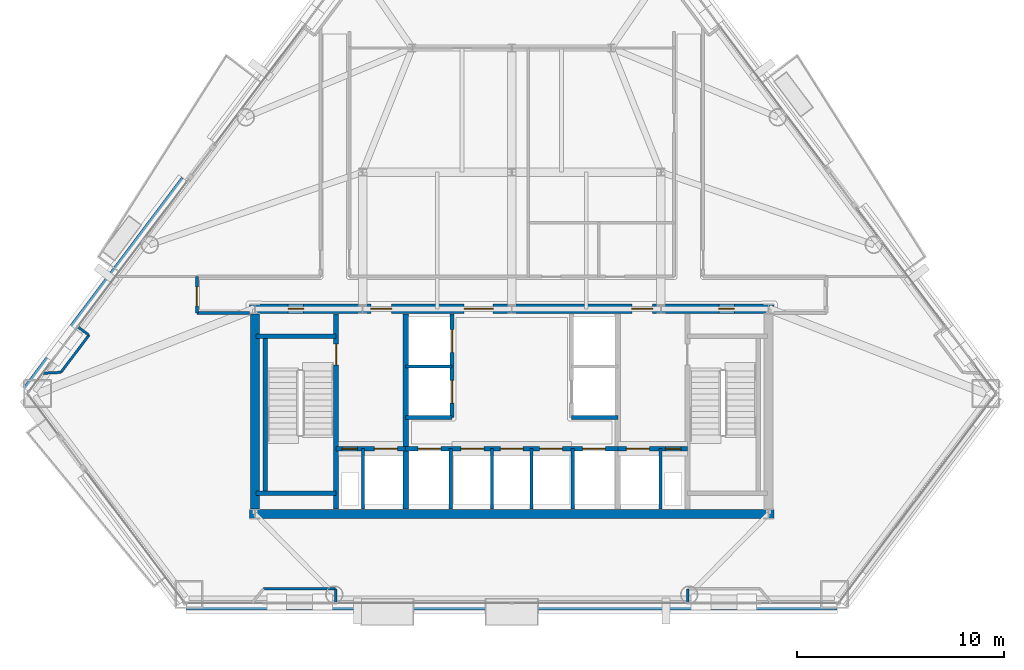
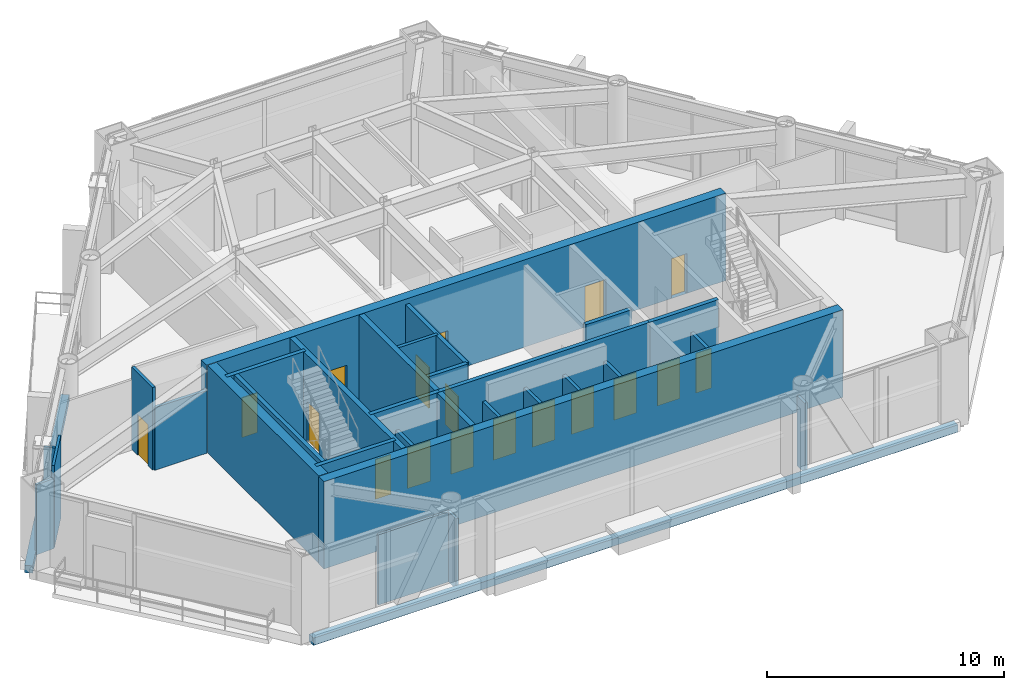
# One storey, part 6 of 10: 31 walls, 18 doors, 18 openings.
"""IFC4 building model written with IfcOpenShell, lengths in metres."""

from ifc_helpers import new_model, si_unit, direction, frame, frame_2d, origin, place, context, subcontext, project, spatial, rectangle, extrude, material, layer, layer_set, type_object, element, fill, save


model = new_model("IFC4")

# Units and contexts
model_context = context("Model", 3, precision=1e-05, world=origin(), true_north=direction((0.0, 1.0)))
body_context = subcontext(model_context, "Body", "Model", "MODEL_VIEW")
ifc_project = project(units=[si_unit("LENGTHUNIT", "METRE"), si_unit("AREAUNIT", "SQUARE_METRE"), si_unit("VOLUMEUNIT", "CUBIC_METRE"), si_unit("PLANEANGLEUNIT", "RADIAN"), si_unit("MASSUNIT", "GRAM", prefix="KILO")], contexts=[model_context])

# Site, building, storey
site_placement = place(None, origin())
site = spatial("IfcSite", under=ifc_project, at=site_placement, CompositionType="ELEMENT")
building_placement = place(site_placement, origin())
building = spatial("IfcBuilding", under=site, at=building_placement, Name="Talgorran Terracotta Tower", CompositionType="ELEMENT")
storey_placement = place(building_placement, frame((0.0, 0.0, 60.300048828125)))
storey = spatial("IfcBuildingStorey", under=building, at=storey_placement, Name="L15", CompositionType="ELEMENT", Elevation=60.300048828125)

# Walls
ifc_material_1 = material(Name="Concrete C50/60", Category="concrete")
ifc_layer_1 = layer(ifc_material_1, 0.199951171875, Name="WT_CORE_200")
ifc_layer_set_1 = layer_set([ifc_layer_1], Name="Concrete C50/60")
wall_type_1 = type_object("IfcWallType", Name="WT_CORE_200", PredefinedType="SOLIDWALL", material=ifc_layer_set_1)
for number, where, z_axis, x_axis, name in (
    (1, (-12.35009765625, -5.52001953125, 0.0), (0.0, 0.0, 1.0), (1.0, 0.0, 0.0), "WL-L15-CW-ST1-N"),
    (2, (-12.35009765625, -13.10009765625, 0.0), (0.0, 0.0, 1.0), (1.0, 0.0, 0.0), "WL-L15-CW-ST1-S"),
):
    element("IfcWall", number, at=place(storey_placement, frame(where, z_axis=z_axis, x_axis=x_axis)), inside=storey, type_object=wall_type_1, Name=name, PredefinedType="SOLIDWALL", context=body_context, shape_type="SweptSolid", body=[
        extrude(rectangle(XDim=3.8701171875, YDim=0.199951171875, at=frame_2d((1.93505859375, 0.0))), origin(), (0.0, 0.0, 1.0), 4.5),
    ])
wall_1_placement = place(storey_placement, frame((-11.89990234375, -13.10009765625, 0.0), z_axis=(0.0, 0.0, 1.0), x_axis=(0.0, 1.0, 0.0)))
element("IfcWall", 3, at=wall_1_placement, inside=storey, type_object=wall_type_1, Name="WL-L15-CW-ST1-W", PredefinedType="SOLIDWALL", context=body_context, shape_type="SweptSolid", body=[
    extrude(rectangle(XDim=7.580078125, YDim=0.199951171875, at=frame_2d((3.7900390625, 0.0))), origin(), (0.0, 0.0, 1.0), 4.5),
])

# Wall, openings, doors
wall_2_placement = place(storey_placement, frame((-8.47998046875, -10.949951171875, 0.0), z_axis=(0.0, 0.0, 1.0), x_axis=(1.0, 0.0, 0.0)))
wall_2 = element("IfcWall", 4, at=wall_2_placement, inside=storey, type_object=wall_type_1, Name="WL-L15-CW-H-SBW", PredefinedType="SOLIDWALL", context=body_context, shape_type="SweptSolid", body=[
    extrude(rectangle(XDim=3.35986328125, YDim=0.199951171875, at=frame_2d((1.679931640625, 0.0))), origin(), (0.0, 0.0, 1.0), 4.5),
])
opening_1_placement = place(wall_2_placement, frame((0.280029296875, 0.0, 0.0)))
opening_1 = element("IfcOpeningElement", 5, at=opening_1_placement, cuts=wall_2, Name="Opening DR-RSW", PredefinedType="OPENING", context=body_context, shape_type="SweptSolid", body=[
    extrude(rectangle(XDim=0.756, YDim=2.054048828125, at=frame_2d((0.375, 1.027099609375))), frame((0.0, 0.10986328125, 0.0), z_axis=(0.0, -1.0, 0.0), x_axis=(1.0, 0.0, 0.0)), (0.0, 0.0, 1.0), 0.219970703125),
])
opening_2_placement = place(wall_2_placement, frame((1.85009765625, 0.0, 0.0)))
opening_2 = element("IfcOpeningElement", 6, at=opening_2_placement, cuts=wall_2, Name="Opening LD-FFL1", PredefinedType="OPENING", context=body_context, shape_type="SweptSolid", body=[
    extrude(rectangle(XDim=1.10609765625, YDim=2.10409765625, at=frame_2d((0.550048828125, 1.052001953125))), frame((0.0, 0.10986328125, 0.0), z_axis=(0.0, -1.0, 0.0), x_axis=(1.0, 0.0, 0.0)), (0.0, 0.0, 1.0), 0.219970703125),
])
ifc_material_2 = material(Name="Brushed Stainless Steel Grade 304", Category="steel")
door_type_1 = type_object("IfcDoorType", Name="DT_LIFT_LD1100", OperationType="DOUBLE_DOOR_SLIDING", PredefinedType="DOOR", material=ifc_material_2)
door_1_placement = place(opening_2_placement, origin())
door_1 = element("IfcDoor", 7, at=door_1_placement, inside=storey, type_object=door_type_1, Name="L15 Lift Landing Door LD-FFL1", OperationType="DOUBLE_DOOR_SLIDING", OverallHeight=2.10009765625, OverallWidth=1.10009765625, PredefinedType="DOOR", context=body_context, shape_type="SweptSolid", body=[
    extrude(rectangle(XDim=1.10009765625, YDim=2.10009765625, at=frame_2d((0.550048828125, 1.050048828125))), frame((0.0, 0.02490234375, 0.0), z_axis=(0.0, -1.0, 0.0), x_axis=(1.0, 0.0, 0.0)), (0.0, 0.0, 1.0), 0.050048828125),
])
fill(opening_2, door_1)
ifc_material_3 = material(Name="Fire-Rated Pressed Steel", Category="steel")
door_type_2 = type_object("IfcDoorType", Name="DT_RISER_750", OperationType="NOTDEFINED", PredefinedType="DOOR", material=ifc_material_3)
door_2_placement = place(opening_1_placement, origin())
door_2 = element("IfcDoor", 8, at=door_2_placement, inside=storey, type_object=door_type_2, Name="DR-RSW", OperationType="SINGLE_SWING_LEFT", OverallHeight=2.050048828125, OverallWidth=0.75, PredefinedType="DOOR", context=body_context, shape_type="SweptSolid", body=[
    extrude(rectangle(XDim=0.75, YDim=2.050048828125, at=frame_2d((0.375, 1.02490234375))), frame((0.0, 0.02490234375, 0.0), z_axis=(0.0, -1.0, 0.0), x_axis=(1.0, 0.0, 0.0)), (0.0, 0.0, 1.0), 0.050048828125),
])
fill(opening_1, door_2)

wall_3_placement = place(storey_placement, frame((-5.1201171875, -10.949951171875, 0.0), z_axis=(0.0, 0.0, 1.0), x_axis=(1.0, 0.0, 0.0)))
wall_3 = element("IfcWall", 9, at=wall_3_placement, inside=storey, type_object=wall_type_1, Name="WL-L15-CW-H-SBC", PredefinedType="SOLIDWALL", context=body_context, shape_type="SweptSolid", body=[
    extrude(rectangle(XDim=10.240234375, YDim=0.199951171875, at=frame_2d((5.1201171875, 0.0))), origin(), (0.0, 0.0, 1.0), 4.5),
])
opening_3_placement = place(wall_3_placement, frame((0.60009765625, 0.0, 0.0)))
opening_3 = element("IfcOpeningElement", 10, at=opening_3_placement, cuts=wall_3, Name="Opening LD-OB1", PredefinedType="OPENING", context=body_context, shape_type="SweptSolid", body=[
    extrude(rectangle(XDim=1.10609765625, YDim=2.10409765625, at=frame_2d((0.550048828125, 1.052001953125))), frame((0.0, 0.10986328125, 0.0), z_axis=(0.0, -1.0, 0.0), x_axis=(1.0, 0.0, 0.0)), (0.0, 0.0, 1.0), 0.219970703125),
])
opening_4_placement = place(wall_3_placement, frame((2.669921875, 0.0, 0.0)))
opening_4 = element("IfcOpeningElement", 11, at=opening_4_placement, cuts=wall_3, Name="Opening LD-PLH1", PredefinedType="OPENING", context=body_context, shape_type="SweptSolid", body=[
    extrude(rectangle(XDim=1.10609765625, YDim=2.10409765625, at=frame_2d((0.550048828125, 1.052001953125))), frame((0.0, 0.10986328125, 0.0), z_axis=(0.0, -1.0, 0.0), x_axis=(1.0, 0.0, 0.0)), (0.0, 0.0, 1.0), 0.219970703125),
])
opening_5_placement = place(wall_3_placement, frame((4.570068359375, 0.0, 0.0)))
opening_5 = element("IfcOpeningElement", 12, at=opening_5_placement, cuts=wall_3, Name="Opening LD-PLH2", PredefinedType="OPENING", context=body_context, shape_type="SweptSolid", body=[
    extrude(rectangle(XDim=1.10609765625, YDim=2.10409765625, at=frame_2d((0.550048828125, 1.052001953125))), frame((0.0, 0.10986328125, 0.0), z_axis=(0.0, -1.0, 0.0), x_axis=(1.0, 0.0, 0.0)), (0.0, 0.0, 1.0), 0.219970703125),
])
opening_6_placement = place(wall_3_placement, frame((6.469970703125, 0.0, 0.0)))
opening_6 = element("IfcOpeningElement", 13, at=opening_6_placement, cuts=wall_3, Name="Opening LD-PLH3", PredefinedType="OPENING", context=body_context, shape_type="SweptSolid", body=[
    extrude(rectangle(XDim=1.10609765625, YDim=2.10409765625, at=frame_2d((0.550048828125, 1.052001953125))), frame((0.0, 0.10986328125, 0.0), z_axis=(0.0, -1.0, 0.0), x_axis=(1.0, 0.0, 0.0)), (0.0, 0.0, 1.0), 0.219970703125),
])
opening_7_placement = place(wall_3_placement, frame((8.5400390625, 0.0, 0.0)))
opening_7 = element("IfcOpeningElement", 14, at=opening_7_placement, cuts=wall_3, Name="Opening LD-SVL1", PredefinedType="OPENING", context=body_context, shape_type="SweptSolid", body=[
    extrude(rectangle(XDim=1.10609765625, YDim=2.10409765625, at=frame_2d((0.550048828125, 1.052001953125))), frame((0.0, 0.10986328125, 0.0), z_axis=(0.0, -1.0, 0.0), x_axis=(1.0, 0.0, 0.0)), (0.0, 0.0, 1.0), 0.219970703125),
])
door_3_placement = place(opening_3_placement, origin())
door_3 = element("IfcDoor", 15, at=door_3_placement, inside=storey, type_object=door_type_1, Name="L15 Lift Landing Door LD-OB1", OperationType="DOUBLE_DOOR_SLIDING", OverallHeight=2.10009765625, OverallWidth=1.10009765625, PredefinedType="DOOR", context=body_context, shape_type="SweptSolid", body=[
    extrude(rectangle(XDim=1.10009765625, YDim=2.10009765625, at=frame_2d((0.550048828125, 1.050048828125))), frame((0.0, 0.02490234375, 0.0), z_axis=(0.0, -1.0, 0.0), x_axis=(1.0, 0.0, 0.0)), (0.0, 0.0, 1.0), 0.050048828125),
])
fill(opening_3, door_3)
door_4_placement = place(opening_4_placement, origin())
door_4 = element("IfcDoor", 16, at=door_4_placement, inside=storey, type_object=door_type_1, Name="L15 Lift Landing Door LD-PLH1", OperationType="DOUBLE_DOOR_SLIDING", OverallHeight=2.10009765625, OverallWidth=1.10009765625, PredefinedType="DOOR", context=body_context, shape_type="SweptSolid", body=[
    extrude(rectangle(XDim=1.10009765625, YDim=2.10009765625, at=frame_2d((0.550048828125, 1.050048828125))), frame((0.0, 0.02490234375, 0.0), z_axis=(0.0, -1.0, 0.0), x_axis=(1.0, 0.0, 0.0)), (0.0, 0.0, 1.0), 0.050048828125),
])
fill(opening_4, door_4)
door_5_placement = place(opening_5_placement, origin())
door_5 = element("IfcDoor", 17, at=door_5_placement, inside=storey, type_object=door_type_1, Name="L15 Lift Landing Door LD-PLH2", OperationType="DOUBLE_DOOR_SLIDING", OverallHeight=2.10009765625, OverallWidth=1.10009765625, PredefinedType="DOOR", context=body_context, shape_type="SweptSolid", body=[
    extrude(rectangle(XDim=1.10009765625, YDim=2.10009765625, at=frame_2d((0.550048828125, 1.050048828125))), frame((0.0, 0.02490234375, 0.0), z_axis=(0.0, -1.0, 0.0), x_axis=(1.0, 0.0, 0.0)), (0.0, 0.0, 1.0), 0.050048828125),
])
fill(opening_5, door_5)
door_6_placement = place(opening_6_placement, origin())
door_6 = element("IfcDoor", 18, at=door_6_placement, inside=storey, type_object=door_type_1, Name="L15 Lift Landing Door LD-PLH3", OperationType="DOUBLE_DOOR_SLIDING", OverallHeight=2.10009765625, OverallWidth=1.10009765625, PredefinedType="DOOR", context=body_context, shape_type="SweptSolid", body=[
    extrude(rectangle(XDim=1.10009765625, YDim=2.10009765625, at=frame_2d((0.550048828125, 1.050048828125))), frame((0.0, 0.02490234375, 0.0), z_axis=(0.0, -1.0, 0.0), x_axis=(1.0, 0.0, 0.0)), (0.0, 0.0, 1.0), 0.050048828125),
])
fill(opening_6, door_6)
door_7_placement = place(opening_7_placement, origin())
door_7 = element("IfcDoor", 19, at=door_7_placement, inside=storey, type_object=door_type_1, Name="L15 Lift Landing Door LD-SVL1", OperationType="DOUBLE_DOOR_SLIDING", OverallHeight=2.10009765625, OverallWidth=1.10009765625, PredefinedType="DOOR", context=body_context, shape_type="SweptSolid", body=[
    extrude(rectangle(XDim=1.10009765625, YDim=2.10009765625, at=frame_2d((0.550048828125, 1.050048828125))), frame((0.0, 0.02490234375, 0.0), z_axis=(0.0, -1.0, 0.0), x_axis=(1.0, 0.0, 0.0)), (0.0, 0.0, 1.0), 0.050048828125),
])
fill(opening_7, door_7)

wall_4_placement = place(storey_placement, frame((5.1201171875, -10.949951171875, 0.0), z_axis=(0.0, 0.0, 1.0), x_axis=(1.0, 0.0, 0.0)))
wall_4 = element("IfcWall", 20, at=wall_4_placement, inside=storey, type_object=wall_type_1, Name="WL-L15-CW-H-SBE", PredefinedType="SOLIDWALL", context=body_context, shape_type="SweptSolid", body=[
    extrude(rectangle(XDim=3.35986328125, YDim=0.199951171875, at=frame_2d((1.679931640625, 0.0))), origin(), (0.0, 0.0, 1.0), 4.5),
])
opening_8_placement = place(wall_4_placement, frame((0.419921875, 0.0, 0.0)))
opening_8 = element("IfcOpeningElement", 21, at=opening_8_placement, cuts=wall_4, Name="Opening LD-FFL2", PredefinedType="OPENING", context=body_context, shape_type="SweptSolid", body=[
    extrude(rectangle(XDim=1.10609765625, YDim=2.10409765625, at=frame_2d((0.550048828125, 1.052001953125))), frame((0.0, 0.10986328125, 0.0), z_axis=(0.0, -1.0, 0.0), x_axis=(1.0, 0.0, 0.0)), (0.0, 0.0, 1.0), 0.219970703125),
])
opening_9_placement = place(wall_4_placement, frame((2.300048828125, 0.0, 0.0)))
opening_9 = element("IfcOpeningElement", 22, at=opening_9_placement, cuts=wall_4, Name="Opening DR-RSE", PredefinedType="OPENING", context=body_context, shape_type="SweptSolid", body=[
    extrude(rectangle(XDim=0.756, YDim=2.054048828125, at=frame_2d((0.375, 1.027099609375))), frame((0.0, 0.10986328125, 0.0), z_axis=(0.0, -1.0, 0.0), x_axis=(1.0, 0.0, 0.0)), (0.0, 0.0, 1.0), 0.219970703125),
])
door_8_placement = place(opening_8_placement, origin())
door_8 = element("IfcDoor", 23, at=door_8_placement, inside=storey, type_object=door_type_1, Name="L15 Lift Landing Door LD-FFL2", OperationType="DOUBLE_DOOR_SLIDING", OverallHeight=2.10009765625, OverallWidth=1.10009765625, PredefinedType="DOOR", context=body_context, shape_type="SweptSolid", body=[
    extrude(rectangle(XDim=1.10009765625, YDim=2.10009765625, at=frame_2d((0.550048828125, 1.050048828125))), frame((0.0, 0.02490234375, 0.0), z_axis=(0.0, -1.0, 0.0), x_axis=(1.0, 0.0, 0.0)), (0.0, 0.0, 1.0), 0.050048828125),
])
fill(opening_8, door_8)
door_9_placement = place(opening_9_placement, origin())
door_9 = element("IfcDoor", 24, at=door_9_placement, inside=storey, type_object=door_type_2, Name="DR-RSE", OperationType="SINGLE_SWING_RIGHT", OverallHeight=2.050048828125, OverallWidth=0.75, PredefinedType="DOOR", context=body_context, shape_type="SweptSolid", body=[
    extrude(rectangle(XDim=0.75, YDim=2.050048828125, at=frame_2d((0.375, 1.02490234375))), frame((0.0, 0.02490234375, 0.0), z_axis=(0.0, -1.0, 0.0), x_axis=(1.0, 0.0, 0.0)), (0.0, 0.0, 1.0), 0.050048828125),
])
fill(opening_9, door_9)

wall_5_placement = place(storey_placement, frame((-2.8798828125, -9.449951171875, 0.0), z_axis=(0.0, 0.0, 1.0), x_axis=(0.0, 1.0, 0.0)))
wall_5 = element("IfcWall", 25, at=wall_5_placement, inside=storey, type_object=wall_type_1, Name="WL-L15-CW-V-W3", PredefinedType="SOLIDWALL", context=body_context, shape_type="SweptSolid", body=[
    extrude(rectangle(XDim=5.0, YDim=0.199951171875, at=frame_2d((2.5, 0.0))), origin(), (0.0, 0.0, 1.0), 4.25),
])
opening_10_placement = place(wall_5_placement, frame((0.699951171875, 0.0, 0.0)))
opening_10 = element("IfcOpeningElement", 26, at=opening_10_placement, cuts=wall_5, Name="Opening LD-PLL1", PredefinedType="OPENING", context=body_context, shape_type="SweptSolid", body=[
    extrude(rectangle(XDim=1.10609765625, YDim=2.10409765625, at=frame_2d((0.550048828125, 1.052001953125))), frame((0.0, 0.10986328125, 0.0), z_axis=(0.0, -1.0, 0.0), x_axis=(1.0, 0.0, 0.0)), (0.0, 0.0, 1.0), 0.219970703125),
])
opening_11_placement = place(wall_5_placement, frame((3.14990234375, 0.0, 0.0)))
opening_11 = element("IfcOpeningElement", 27, at=opening_11_placement, cuts=wall_5, Name="Opening LD-PLL2", PredefinedType="OPENING", context=body_context, shape_type="SweptSolid", body=[
    extrude(rectangle(XDim=1.10609765625, YDim=2.10409765625, at=frame_2d((0.550048828125, 1.052001953125))), frame((0.0, 0.10986328125, 0.0), z_axis=(0.0, -1.0, 0.0), x_axis=(1.0, 0.0, 0.0)), (0.0, 0.0, 1.0), 0.219970703125),
])
door_10_placement = place(opening_10_placement, origin())
door_10 = element("IfcDoor", 28, at=door_10_placement, inside=storey, type_object=door_type_1, Name="L15 Lift Landing Door LD-PLL1", OperationType="DOUBLE_DOOR_SLIDING", OverallHeight=2.10009765625, OverallWidth=1.10009765625, PredefinedType="DOOR", context=body_context, shape_type="SweptSolid", body=[
    extrude(rectangle(XDim=1.10009765625, YDim=2.10009765625, at=frame_2d((0.550048828125, 1.050048828125))), frame((0.0, 0.02490234375, 0.0), z_axis=(0.0, -1.0, 0.0), x_axis=(1.0, 0.0, 0.0)), (0.0, 0.0, 1.0), 0.050048828125),
])
fill(opening_10, door_10)
door_11_placement = place(opening_11_placement, origin())
door_11 = element("IfcDoor", 29, at=door_11_placement, inside=storey, type_object=door_type_1, Name="L15 Lift Landing Door LD-PLL2", OperationType="DOUBLE_DOOR_SLIDING", OverallHeight=2.10009765625, OverallWidth=1.10009765625, PredefinedType="DOOR", context=body_context, shape_type="SweptSolid", body=[
    extrude(rectangle(XDim=1.10009765625, YDim=2.10009765625, at=frame_2d((0.550048828125, 1.050048828125))), frame((0.0, 0.02490234375, 0.0), z_axis=(0.0, -1.0, 0.0), x_axis=(1.0, 0.0, 0.0)), (0.0, 0.0, 1.0), 0.050048828125),
])
fill(opening_11, door_11)

# Walls
for number, where, z_axis, x_axis, name in (
    (30, (-5.1201171875, -9.449951171875, 0.0), (0.0, 0.0, 1.0), (1.0, 0.0, 0.0), "WL-L15-CW-H-W4"),
    (31, (2.8798828125, -9.449951171875, 0.0), (0.0, 0.0, 1.0), (1.0, 0.0, 0.0), "WL-L15-CW-H-E4"),
):
    element("IfcWall", number, at=place(storey_placement, frame(where, z_axis=z_axis, x_axis=x_axis)), inside=storey, type_object=wall_type_1, Name=name, PredefinedType="SOLIDWALL", context=body_context, shape_type="SweptSolid", body=[
        extrude(rectangle(XDim=2.240234375, YDim=0.199951171875, at=frame_2d((1.1201171875, 0.0))), origin(), (0.0, 0.0, 1.0), 4.25),
    ])

# Wall, opening, door
ifc_layer_2 = layer(ifc_material_1, 0.25, Name="WT_CORE_250")
ifc_layer_set_2 = layer_set([ifc_layer_2], Name="Concrete C50/60")
wall_type_2 = type_object("IfcWallType", Name="WT_CORE_250", PredefinedType="SHEAR", material=ifc_layer_set_2)
wall_6_placement = place(storey_placement, frame((-8.47998046875, -13.85009765625, 0.0), z_axis=(0.0, 0.0, 1.0), x_axis=(0.0, 1.0, 0.0)))
wall_6 = element("IfcWall", 32, at=wall_6_placement, inside=storey, type_object=wall_type_2, Name="WL-L15-CW-V-W1", PredefinedType="SHEAR", context=body_context, shape_type="SweptSolid", body=[
    extrude(rectangle(XDim=9.400146484375, YDim=0.25, at=frame_2d((4.7001953125, 0.0))), origin(), (0.0, 0.0, 1.0), 4.5),
])
opening_12_placement = place(wall_6_placement, frame((6.949951171875, 0.0, 0.0)))
opening_12 = element("IfcOpeningElement", 33, at=opening_12_placement, cuts=wall_6, Name="Opening DR-ST01", PredefinedType="OPENING", context=body_context, shape_type="SweptSolid", body=[
    extrude(rectangle(XDim=1.006, YDim=2.10409765625, at=frame_2d((0.5, 1.052001953125))), frame((0.0, 0.135009765625, 0.0), z_axis=(0.0, -1.0, 0.0), x_axis=(1.0, 0.0, 0.0)), (0.0, 0.0, 1.0), 0.27001953125),
])
door_type_3 = type_object("IfcDoorType", Name="DT_FIRE_1000", OperationType="NOTDEFINED", PredefinedType="DOOR", material=ifc_material_3)
door_12_placement = place(opening_12_placement, origin())
door_12 = element("IfcDoor", 34, at=door_12_placement, inside=storey, type_object=door_type_3, Name="DR-ST01", OperationType="SINGLE_SWING_LEFT", OverallHeight=2.10009765625, OverallWidth=1.0, PredefinedType="DOOR", context=body_context, shape_type="SweptSolid", body=[
    extrude(rectangle(XDim=1.0, YDim=2.10009765625, at=frame_2d((0.5, 1.050048828125))), frame((0.0, 0.02490234375, 0.0), z_axis=(0.0, -1.0, 0.0), x_axis=(1.0, 0.0, 0.0)), (0.0, 0.0, 1.0), 0.050048828125),
])
fill(opening_12, door_12)

# Walls
wall_7_placement = place(storey_placement, frame((-5.1201171875, -13.85009765625, 0.0), z_axis=(0.0, 0.0, 1.0), x_axis=(0.0, 1.0, 0.0)))
element("IfcWall", 35, at=wall_7_placement, inside=storey, type_object=wall_type_2, Name="WL-L15-CW-V-W2", PredefinedType="SHEAR", context=body_context, shape_type="SweptSolid", body=[
    extrude(rectangle(XDim=9.400146484375, YDim=0.25, at=frame_2d((4.7001953125, 0.0))), origin(), (0.0, 0.0, 1.0), 4.5),
])
ifc_material_4 = material(Name="Concrete C65/80", Category="concrete")
ifc_layer_3 = layer(ifc_material_4, 0.449951171875, Name="WT_CORE_EXT")
ifc_layer_set_3 = layer_set([ifc_layer_3], Name="Concrete C65/80")
wall_type_3 = type_object("IfcWallType", Name="WT_CORE_EXT", PredefinedType="SHEAR", material=ifc_layer_set_3)
wall_8_placement = place(storey_placement, frame((-12.64990234375, -14.10009765625, 0.0), z_axis=(0.0, 0.0, 1.0), x_axis=(1.0, 0.0, 0.0)))
element("IfcWall", 36, at=wall_8_placement, inside=storey, type_object=wall_type_3, Name="WL-L15-CW-OUT-S", PredefinedType="SHEAR", context=body_context, shape_type="SweptSolid", body=[
    extrude(rectangle(XDim=25.2998046875, YDim=0.449951171875, at=frame_2d((12.64990234375, 0.0))), origin(), (0.0, 0.0, 1.0), 4.5),
])

# Wall, openings, doors
wall_9_placement = place(storey_placement, frame((-12.64990234375, -4.199951171875, 0.0), z_axis=(0.0, 0.0, 1.0), x_axis=(1.0, 0.0, 0.0)))
wall_9 = element("IfcWall", 37, at=wall_9_placement, inside=storey, type_object=wall_type_3, Name="WL-L15-CW-OUT-N", PredefinedType="SHEAR", context=body_context, shape_type="SweptSolid", body=[
    extrude(rectangle(XDim=25.2998046875, YDim=0.449951171875, at=frame_2d((12.64990234375, 0.0))), origin(), (0.0, 0.0, 1.0), 4.5),
])
opening_13_placement = place(wall_9_placement, frame((1.85009765625, 0.0, 0.0)))
opening_13 = element("IfcOpeningElement", 38, at=opening_13_placement, cuts=wall_9, Name="Opening DR-CSN1", PredefinedType="OPENING", context=body_context, shape_type="SweptSolid", body=[
    extrude(rectangle(XDim=0.756, YDim=2.054048828125, at=frame_2d((0.375, 1.027099609375))), frame((0.0, 0.23486328125, 0.0), z_axis=(0.0, -1.0, 0.0), x_axis=(1.0, 0.0, 0.0)), (0.0, 0.0, 1.0), 0.469970703125),
])
opening_14_placement = place(wall_9_placement, frame((22.64990234375, 0.0, 0.0)))
opening_14 = element("IfcOpeningElement", 39, at=opening_14_placement, cuts=wall_9, Name="Opening DR-CSN2", PredefinedType="OPENING", context=body_context, shape_type="SweptSolid", body=[
    extrude(rectangle(XDim=0.756, YDim=2.054048828125, at=frame_2d((0.375, 1.027099609375))), frame((0.0, 0.23486328125, 0.0), z_axis=(0.0, -1.0, 0.0), x_axis=(1.0, 0.0, 0.0)), (0.0, 0.0, 1.0), 0.469970703125),
])
opening_15_placement = place(wall_9_placement, frame((5.85009765625, 0.0, 0.0)))
opening_15 = element("IfcOpeningElement", 40, at=opening_15_placement, cuts=wall_9, Name="Opening DR-FFLW-N", PredefinedType="OPENING", context=body_context, shape_type="SweptSolid", body=[
    extrude(rectangle(XDim=1.006, YDim=2.10409765625, at=frame_2d((0.5, 1.052001953125))), frame((0.0, 0.23486328125, 0.0), z_axis=(0.0, -1.0, 0.0), x_axis=(1.0, 0.0, 0.0)), (0.0, 0.0, 1.0), 0.469970703125),
])
opening_16_placement = place(wall_9_placement, frame((10.35009765625, 0.0, 0.0)))
opening_16 = element("IfcOpeningElement", 41, at=opening_16_placement, cuts=wall_9, Name="Opening DR-PLL-N", PredefinedType="OPENING", context=body_context, shape_type="SweptSolid", body=[
    extrude(rectangle(XDim=1.40590234375, YDim=2.15390234375, at=frame_2d((0.699951171875, 1.076904296875))), frame((0.0, 0.23486328125, 0.0), z_axis=(0.0, -1.0, 0.0), x_axis=(1.0, 0.0, 0.0)), (0.0, 0.0, 1.0), 0.469970703125),
])
opening_17_placement = place(wall_9_placement, frame((18.449951171875, 0.0, 0.0)))
opening_17 = element("IfcOpeningElement", 42, at=opening_17_placement, cuts=wall_9, Name="Opening DR-FFLE-N", PredefinedType="OPENING", context=body_context, shape_type="SweptSolid", body=[
    extrude(rectangle(XDim=1.006, YDim=2.10409765625, at=frame_2d((0.5, 1.052001953125))), frame((0.0, 0.23486328125, 0.0), z_axis=(0.0, -1.0, 0.0), x_axis=(1.0, 0.0, 0.0)), (0.0, 0.0, 1.0), 0.469970703125),
])
ifc_material_5 = material(Name="Acoustic Glazed Timber", Category="wood")
door_type_4 = type_object("IfcDoorType", Name="DT_DOUBLE_1400", OperationType="DOUBLE_DOOR_SINGLE_SWING", PredefinedType="DOOR", material=ifc_material_5)
door_13_placement = place(opening_16_placement, origin())
door_13 = element("IfcDoor", 43, at=door_13_placement, inside=storey, type_object=door_type_4, Name="DR-PLL-N", OperationType="DOUBLE_DOOR_SINGLE_SWING", OverallHeight=2.14990234375, OverallWidth=1.39990234375, PredefinedType="DOOR", context=body_context, shape_type="SweptSolid", body=[
    extrude(rectangle(XDim=1.39990234375, YDim=2.14990234375, at=frame_2d((0.699951171875, 1.074951171875))), frame((0.0, 0.02490234375, 0.0), z_axis=(0.0, -1.0, 0.0), x_axis=(1.0, 0.0, 0.0)), (0.0, 0.0, 1.0), 0.050048828125),
])
fill(opening_16, door_13)
door_14_placement = place(opening_15_placement, origin())
door_14 = element("IfcDoor", 44, at=door_14_placement, inside=storey, type_object=door_type_3, Name="DR-FFLW-N", OperationType="SINGLE_SWING_LEFT", OverallHeight=2.10009765625, OverallWidth=1.0, PredefinedType="DOOR", context=body_context, shape_type="SweptSolid", body=[
    extrude(rectangle(XDim=1.0, YDim=2.10009765625, at=frame_2d((0.5, 1.050048828125))), frame((0.0, 0.02490234375, 0.0), z_axis=(0.0, -1.0, 0.0), x_axis=(1.0, 0.0, 0.0)), (0.0, 0.0, 1.0), 0.050048828125),
])
fill(opening_15, door_14)
door_15_placement = place(opening_17_placement, origin())
door_15 = element("IfcDoor", 45, at=door_15_placement, inside=storey, type_object=door_type_3, Name="DR-FFLE-N", OperationType="SINGLE_SWING_RIGHT", OverallHeight=2.10009765625, OverallWidth=1.0, PredefinedType="DOOR", context=body_context, shape_type="SweptSolid", body=[
    extrude(rectangle(XDim=1.0, YDim=2.10009765625, at=frame_2d((0.5, 1.050048828125))), frame((0.0, 0.02490234375, 0.0), z_axis=(0.0, -1.0, 0.0), x_axis=(1.0, 0.0, 0.0)), (0.0, 0.0, 1.0), 0.050048828125),
])
fill(opening_17, door_15)
door_16_placement = place(opening_13_placement, origin())
door_16 = element("IfcDoor", 46, at=door_16_placement, inside=storey, type_object=door_type_2, Name="DR-CSN1", OperationType="SINGLE_SWING_LEFT", OverallHeight=2.050048828125, OverallWidth=0.75, PredefinedType="DOOR", context=body_context, shape_type="SweptSolid", body=[
    extrude(rectangle(XDim=0.75, YDim=2.050048828125, at=frame_2d((0.375, 1.02490234375))), frame((0.0, 0.02490234375, 0.0), z_axis=(0.0, -1.0, 0.0), x_axis=(1.0, 0.0, 0.0)), (0.0, 0.0, 1.0), 0.050048828125),
])
fill(opening_13, door_16)
door_17_placement = place(opening_14_placement, origin())
door_17 = element("IfcDoor", 47, at=door_17_placement, inside=storey, type_object=door_type_2, Name="DR-CSN2", OperationType="SINGLE_SWING_RIGHT", OverallHeight=2.050048828125, OverallWidth=0.75, PredefinedType="DOOR", context=body_context, shape_type="SweptSolid", body=[
    extrude(rectangle(XDim=0.75, YDim=2.050048828125, at=frame_2d((0.375, 1.02490234375))), frame((0.0, 0.02490234375, 0.0), z_axis=(0.0, -1.0, 0.0), x_axis=(1.0, 0.0, 0.0)), (0.0, 0.0, 1.0), 0.050048828125),
])
fill(opening_14, door_17)

# Walls
wall_10_placement = place(storey_placement, frame((-12.39990234375, -13.85009765625, 0.0), z_axis=(0.0, 0.0, 1.0), x_axis=(0.0, 1.0, 0.0)))
element("IfcWall", 48, at=wall_10_placement, inside=storey, type_object=wall_type_3, Name="WL-L15-CW-OUT-W", PredefinedType="SHEAR", context=body_context, shape_type="SweptSolid", body=[
    extrude(rectangle(XDim=9.400146484375, YDim=0.449951171875, at=frame_2d((4.7001953125, 0.0))), origin(), (0.0, 0.0, 1.0), 4.5),
])
ifc_material_6 = material(Name="Fire-Rated Steel Stud Plasterboard", Category="steel")
ifc_layer_4 = layer(ifc_material_6, 0.14990234375, Name="WT_FIRE_150")
ifc_layer_set_4 = layer_set([ifc_layer_4], Name="Fire-Rated Steel Stud Plasterboard")
wall_type_4 = type_object("IfcWallType", Name="WT_FIRE_150", PredefinedType="PARTITIONING", material=ifc_layer_set_4)
wall_11_placement = place(storey_placement, frame((-15.199951171875, -4.39990234375, 0.0), z_axis=(0.0, 0.0, 1.0), x_axis=(1.0, 0.0, 0.0)))
element("IfcWall", 49, at=wall_11_placement, inside=storey, type_object=wall_type_4, Name="WL-L15-W-L15-R02", PredefinedType="PARTITIONING", context=body_context, shape_type="SweptSolid", body=[
    extrude(rectangle(XDim=2.5478515625, YDim=0.14990234375, at=frame_2d((1.27392578125, 0.0))), origin(), (0.0, 0.0, 1.0), 3.224853515625),
])

# Wall, opening, door
wall_12_placement = place(storey_placement, frame((-15.199951171875, -4.39990234375, 0.0), z_axis=(0.0, 0.0, 1.0), x_axis=(0.0, 1.0, 0.0)))
wall_12 = element("IfcWall", 50, at=wall_12_placement, inside=storey, type_object=wall_type_4, Name="WL-L15-W-L15-R01", PredefinedType="PARTITIONING", context=body_context, shape_type="SweptSolid", body=[
    extrude(rectangle(XDim=1.760009765625, YDim=0.14990234375, at=frame_2d((0.8798828125, 0.0))), origin(), (0.0, 0.0, 1.0), 4.25),
])
opening_18_placement = place(wall_12_placement, frame((0.3525390625, 0.0, 0.0)))
opening_18 = element("IfcOpeningElement", 51, at=opening_18_placement, cuts=wall_12, Name="Opening DR-L15-R01", PredefinedType="OPENING", context=body_context, shape_type="SweptSolid", body=[
    extrude(rectangle(XDim=0.90590234375, YDim=2.10409765625, at=frame_2d((0.449951171875, 1.052001953125))), frame((0.0, 0.0849609375, 0.0), z_axis=(0.0, -1.0, 0.0), x_axis=(1.0, 0.0, 0.0)), (0.0, 0.0, 1.0), 0.169921875),
])
ifc_material_7 = material(Name="Fire-Rated Timber Core", Category="wood")
door_type_5 = type_object("IfcDoorType", Name="DT_FIRE_900", OperationType="NOTDEFINED", PredefinedType="DOOR", material=ifc_material_7)
door_18_placement = place(opening_18_placement, origin())
door_18 = element("IfcDoor", 52, at=door_18_placement, inside=storey, type_object=door_type_5, Name="DR-L15-R01", OperationType="SINGLE_SWING_LEFT", OverallHeight=2.10009765625, OverallWidth=0.89990234375, PredefinedType="DOOR", context=body_context, shape_type="SweptSolid", body=[
    extrude(rectangle(XDim=0.89990234375, YDim=2.10009765625, at=frame_2d((0.449951171875, 1.050048828125))), frame((0.0, 0.02490234375, 0.0), z_axis=(0.0, -1.0, 0.0), x_axis=(1.0, 0.0, 0.0)), (0.0, 0.0, 1.0), 0.050048828125),
])
fill(opening_18, door_18)

# Walls
ifc_material_8 = material(Name="Concrete C40/50", Category="concrete")
ifc_layer_5 = layer(ifc_material_8, 0.219970703125, Name="WT_PARAPET_RC")
ifc_layer_set_5 = layer_set([ifc_layer_5], Name="Concrete C40/50")
wall_type_5 = type_object("IfcWallType", Name="WT_PARAPET_RC", PredefinedType="PARAPET", material=ifc_layer_set_5)
wall_13_placement = place(storey_placement, frame((-15.69921875, -18.551025390625, -0.199951171875), z_axis=(0.0, 0.0, 1.0), x_axis=(1.0, 0.0, 0.0)))
element("IfcWall", 53, at=wall_13_placement, inside=storey, type_object=wall_type_5, Name="L15 Striped Portal Precast Cornice F1", PredefinedType="PARAPET", context=body_context, shape_type="SweptSolid", body=[
    extrude(rectangle(XDim=31.3984375, YDim=0.360107421875, at=frame_2d((15.69921875, 0.0))), origin(), (0.0, 0.0, 1.0), 0.3798828125),
])
wall_14_placement = place(storey_placement, frame((-15.80810546875, 2.045654296875, -0.199951171875), z_axis=(0.0, 0.0, 1.0), x_axis=(-0.60143322719, -0.798923070909, 0.0)))
element("IfcWall", 54, at=wall_14_placement, inside=storey, type_object=wall_type_5, Name="L15 Striped Portal Precast Cornice F61", PredefinedType="PARAPET", context=body_context, shape_type="SweptSolid", body=[
    extrude(rectangle(XDim=12.692138671875, YDim=0.360107421875, at=frame_2d((6.34619140625, 0.0))), origin(), (0.0, 0.0, 1.0), 0.3798828125),
])
ifc_material_9 = material(Name="Insulated Steel Stud Plasterboard", Category="steel")
ifc_layer_6 = layer(ifc_material_9, 0.1201171875, Name="WT_PART_120")
ifc_layer_set_6 = layer_set([ifc_layer_6], Name="Insulated Steel Stud Plasterboard")
wall_type_6 = type_object("IfcWallType", Name="WT_PART_120", PredefinedType="PARTITIONING", material=ifc_layer_set_6)
wall_15_placement = place(storey_placement, frame((-11.986572265625, -17.711181640625, 0.0), z_axis=(0.0, 0.0, 1.0), x_axis=(1.0, 0.0, 0.0)))
element("IfcWall", 55, at=wall_15_placement, inside=storey, type_object=wall_type_6, Name="WL-L15-BW-L15-01", PredefinedType="PARTITIONING", context=body_context, shape_type="SweptSolid", body=[
    extrude(rectangle(XDim=3.486328125, YDim=0.1201171875, at=frame_2d((1.7431640625, 0.0))), origin(), (0.0, 0.0, 1.0), 3.61328125),
])
wall_16_placement = place(storey_placement, frame((-20.412109375, -5.466796875, 0.0), z_axis=(0.0, 0.0, 1.0), x_axis=(-0.601459454583, -0.798903326124, 0.0)))
element("IfcWall", 56, at=wall_16_placement, inside=storey, type_object=wall_type_6, Name="WL-L15-BW-L15-08", PredefinedType="PARTITIONING", context=body_context, shape_type="SweptSolid", body=[
    extrude(rectangle(XDim=2.246826171875, YDim=0.1201171875, at=frame_2d((1.12353515625, 0.0))), origin(), (0.0, 0.0, 1.0), 4.25),
])
wall_17_placement = place(storey_placement, frame((-21.763427734375, -7.26171875, 0.0), z_axis=(0.0, 0.0, 1.0), x_axis=(-0.998620143289, -0.052514849493, 0.0)))
element("IfcWall", 57, at=wall_17_placement, inside=storey, type_object=wall_type_6, Name="WL-L15-BW-L15-09", PredefinedType="PARTITIONING", context=body_context, shape_type="SweptSolid", body=[
    extrude(rectangle(XDim=0.8740234375, YDim=0.1201171875, at=frame_2d((0.43701171875, 0.0))), origin(), (0.0, 0.0, 1.0), 3.61328125),
])
for number, where, z_axis, x_axis, name in (
    (58, (-8.500244140625, -17.711181640625, 0.0), (0.0, 0.0, 1.0), (0.0, -1.0, 0.0), "WL-L15-BW-L15-02"),
    (59, (8.500244140625, -18.381103515625, 0.0), (0.0, 0.0, 1.0), (0.0, 1.0, 0.0), "WL-L15-BW-L15-05"),
    (60, (-20.947265625, -5.063720703125, 0.0), (0.0, 0.0, 1.0), (0.798773936271, -0.601631281379, 0.0), "WL-L15-BW-L15-07"),
):
    element("IfcWall", number, at=place(storey_placement, frame(where, z_axis=z_axis, x_axis=x_axis)), inside=storey, type_object=wall_type_6, Name=name, PredefinedType="PARTITIONING", context=body_context, shape_type="SweptSolid", body=[
        extrude(rectangle(XDim=0.669921875, YDim=0.1201171875, at=frame_2d((0.3349609375, 0.0))), origin(), (0.0, 0.0, 1.0), 3.61328125),
    ])
ifc_material_10 = material(Name="Fire-Rated Shaftwall")
ifc_layer_7 = layer(ifc_material_10, 0.159912109375, Name="WT_PART_150")
ifc_layer_set_7 = layer_set([ifc_layer_7], Name="Fire-Rated Shaftwall")
wall_type_7 = type_object("IfcWallType", Name="WT_PART_150", PredefinedType="PARTITIONING", material=ifc_layer_set_7)
wall_18_placement = place(storey_placement, frame((-5.1201171875, -6.97998046875, 0.0), z_axis=(0.0, 0.0, 1.0), x_axis=(1.0, 0.0, 0.0)))
element("IfcWall", 61, at=wall_18_placement, inside=storey, type_object=wall_type_7, Name="WL-L15-CW-PLL-DIV", PredefinedType="PARTITIONING", context=body_context, shape_type="SweptSolid", body=[
    extrude(rectangle(XDim=2.240234375, YDim=0.159912109375, at=frame_2d((1.1201171875, 0.0))), origin(), (0.0, 0.0, 1.0), 4.25),
])
for number, where, z_axis, x_axis, name in (
    (62, (-7.179931640625, -13.85009765625, 0.0), (0.0, 0.0, 1.0), (0.0, 1.0, 0.0), "WL-L15-CW-RSW"),
    (63, (7.179931640625, -13.85009765625, 0.0), (0.0, 0.0, 1.0), (0.0, 1.0, 0.0), "WL-L15-CW-RSE"),
    (64, (-2.949951171875, -13.85009765625, 0.0), (0.0, 0.0, 1.0), (0.0, 1.0, 0.0), "WL-L15-CW-OB-E"),
    (65, (2.949951171875, -13.85009765625, 0.0), (0.0, 0.0, 1.0), (0.0, 1.0, 0.0), "WL-L15-CW-SV-W"),
    (66, (-0.949951171875, -13.85009765625, 0.0), (0.0, 0.0, 1.0), (0.0, 1.0, 0.0), "WL-L15-CW-PLH-D1"),
    (67, (0.949951171875, -13.85009765625, 0.0), (0.0, 0.0, 1.0), (0.0, 1.0, 0.0), "WL-L15-CW-PLH-D2"),
):
    element("IfcWall", number, at=place(storey_placement, frame(where, z_axis=z_axis, x_axis=x_axis)), inside=storey, type_object=wall_type_7, Name=name, PredefinedType="PARTITIONING", context=body_context, shape_type="SweptSolid", body=[
        extrude(rectangle(XDim=2.900146484375, YDim=0.159912109375, at=frame_2d((1.4501953125, 0.0))), origin(), (0.0, 0.0, 1.0), 3.27490234375),
    ])

save(model, "model.ifc")
